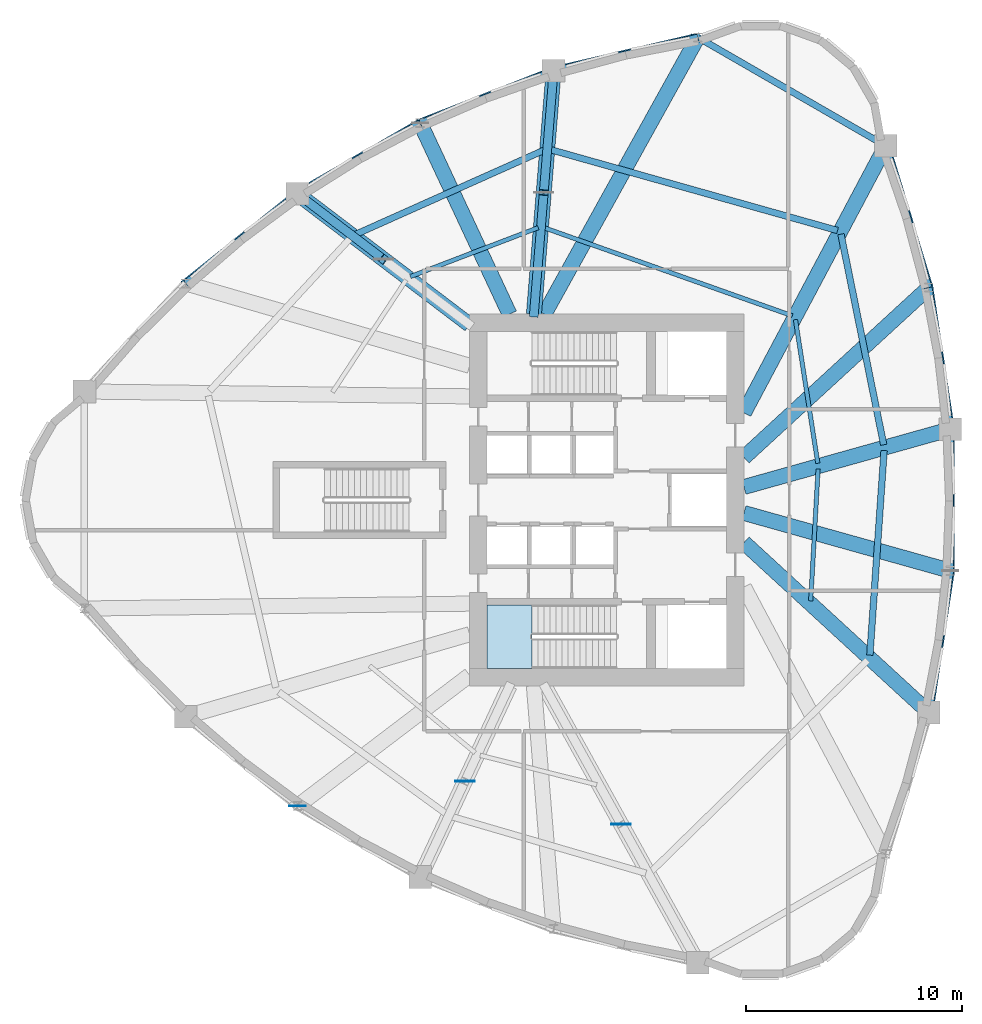
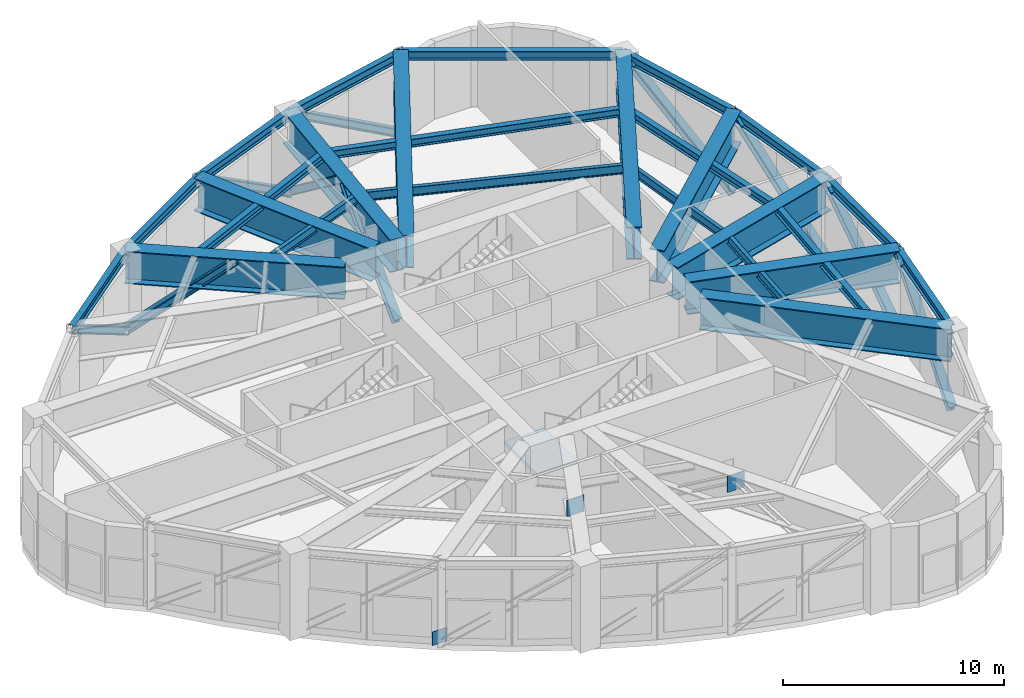
# One storey, part 2 of 9: 26 beams, 11 members, 3 plates, 1 slab, 1 element without a shape of its own.
"""IFC4 building model written with IfcOpenShell, lengths in metres."""

from ifc_helpers import new_model, si_unit, direction, frame, origin, origin_2d, place, context, subcontext, project, spatial, polyline, rectangle, i_section, outline, extrude, source, transform, mapped, material, layer, layer_set, material_profile, profile_set, type_object, element, aggregate, save


model = new_model("IFC4")

# Units and contexts
model_context = context("Model", 3, precision=1e-05, world=origin(), true_north=direction((0.0, 1.0)))
body_context = subcontext(model_context, "Body", "Model", "MODEL_VIEW")
ifc_project = project(units=[si_unit("LENGTHUNIT", "METRE"), si_unit("AREAUNIT", "SQUARE_METRE"), si_unit("VOLUMEUNIT", "CUBIC_METRE"), si_unit("PLANEANGLEUNIT", "RADIAN"), si_unit("MASSUNIT", "GRAM", prefix="KILO")], contexts=[model_context])

# Site, building, storey
site_placement = place(None, origin())
site = spatial("IfcSite", under=ifc_project, at=site_placement, CompositionType="ELEMENT")
building_placement = place(site_placement, origin())
building = spatial("IfcBuilding", under=site, at=building_placement, Name="Qafzar Sky-Pleat Residences", CompositionType="ELEMENT")
storey_placement = place(building_placement, frame((0.0, 0.0, 65.39990234375)))
storey = spatial("IfcBuildingStorey", under=building, at=storey_placement, Name="L19", CompositionType="ELEMENT", Elevation=65.39990234375)

# Beams
ifc_material_1 = material(Name="Steel S355", Category="steel")
ifc_material_profile_1 = material_profile(ifc_material_1, i_section(OverallWidth=0.300048828125, OverallDepth=0.5, WebThickness=0.014404296875, FlangeThickness=0.028076171875, FilletRadius=0.027099609375, at=origin_2d()), Name="HEB 500")
ifc_profile_set_1 = profile_set([ifc_material_profile_1], Name="Steel S355")
beam_type_1 = type_object("IfcBeamType", Name="BM-SPAN-HEB500", PredefinedType="SPANDREL", material=ifc_profile_set_1)
shared_shape_1 = source(origin(), body_context, "Body", "SweptSolid", [
    extrude(i_section(OverallWidth=0.300048828125, OverallDepth=0.5, WebThickness=0.014404296875, FlangeThickness=0.028076171875, FilletRadius=0.027099609375, at=origin_2d()), origin(), (0.0, 0.0, 1.0), 10.0458984375),
])
beam_1_placement = place(storey_placement, frame((43.262451171875, 42.389404296875, 4.498046875), z_axis=(-0.866013584312, 0.500020471368, 0.0), x_axis=(-0.500020471368, -0.866013584312, 0.0)))
element("IfcBeam", 1, at=beam_1_placement, inside=storey, type_object=beam_type_1, Name="L19 Perimeter Spandrel Beam 13", PredefinedType="SPANDREL", context=body_context, shape_type="MappedRepresentation", body=[
    mapped(shared_shape_1, transform((0.0, 0.0, 0.0), x_axis=(1.0, 0.0, 0.0), y_axis=(0.0, 1.0, 0.0), z_axis=(0.0, 0.0, 1.0), scale=1.0)),
])
shared_shape_2 = source(origin(), body_context, "Body", "SweptSolid", [
    extrude(i_section(OverallWidth=0.300048828125, OverallDepth=0.5, WebThickness=0.014404296875, FlangeThickness=0.028076171875, FilletRadius=0.027099609375, at=origin_2d()), origin(), (0.0, 0.0, 1.0), 6.85205078125),
])
for number, where, z_axis, x_axis, name in (
    (2, (45.255615234375, 35.833740234375, 4.498046875), (-0.290889380192, 0.95675669242, 0.0), (-0.95675669242, -0.290889380192, 0.0), "L19 Perimeter Spandrel Beam 12"),
    (3, (34.5625, 47.41259765625, 4.498046875), (-0.974011500326, -0.226498559007, 0.0), (0.226498559007, -0.974011500326, 0.0), "L19 Perimeter Spandrel Beam 14"),
):
    element("IfcBeam", number, at=place(storey_placement, frame(where, z_axis=z_axis, x_axis=x_axis)), inside=storey, type_object=beam_type_1, Name=name, PredefinedType="SPANDREL", context=body_context, shape_type="MappedRepresentation", body=[
        mapped(shared_shape_2, transform((0.0, 0.0, 0.0), x_axis=(1.0, 0.0, 0.0), y_axis=(0.0, 1.0, 0.0), z_axis=(0.0, 0.0, 1.0), scale=1.0)),
    ])
shared_shape_3 = source(origin(), body_context, "Body", "SweptSolid", [
    extrude(i_section(OverallWidth=0.300048828125, OverallDepth=0.5, WebThickness=0.014404296875, FlangeThickness=0.028076171875, FilletRadius=0.027099609375, at=origin_2d()), origin(), (0.0, 0.0, 1.0), 6.63134765625),
])
beam_2_placement = place(storey_placement, frame((16.035400390625, 40.167724609375, 4.498046875), z_axis=(-0.781066323429, -0.624448075027, 0.0), x_axis=(0.624448075027, -0.781066323429, 0.0)))
element("IfcBeam", 4, at=beam_2_placement, inside=storey, type_object=beam_type_1, Name="L19 Perimeter Spandrel Beam 17", PredefinedType="SPANDREL", context=body_context, shape_type="MappedRepresentation", body=[
    mapped(shared_shape_3, transform((0.0, 0.0, 0.0), x_axis=(1.0, 0.0, 0.0), y_axis=(0.0, 1.0, 0.0), z_axis=(0.0, 0.0, 1.0), scale=1.0)),
])
shared_shape_4 = source(origin(), body_context, "Body", "SweptSolid", [
    extrude(i_section(OverallWidth=0.300048828125, OverallDepth=0.5, WebThickness=0.014404296875, FlangeThickness=0.028076171875, FilletRadius=0.027099609375, at=origin_2d()), origin(), (0.0, 0.0, 1.0), 6.5556640625),
])
for number, where, z_axis, x_axis, name in (
    (5, (46.251953125, 22.72216796875, 4.498046875), (0.0, 1.0, 0.0), (-1.0, 0.0, 0.0), "L19 Perimeter Spandrel Beam 10"),
    (6, (21.712890625, 43.445556640625, 4.498046875), (-0.866029927155, -0.499992165211, 0.0), (0.499992165211, -0.866029927155, 0.0), "L19 Perimeter Spandrel Beam 16"),
):
    element("IfcBeam", number, at=place(storey_placement, frame(where, z_axis=z_axis, x_axis=x_axis)), inside=storey, type_object=beam_type_1, Name=name, PredefinedType="SPANDREL", context=body_context, shape_type="MappedRepresentation", body=[
        mapped(shared_shape_4, transform((0.0, 0.0, 0.0), x_axis=(1.0, 0.0, 0.0), y_axis=(0.0, 1.0, 0.0), z_axis=(0.0, 0.0, 1.0), scale=1.0)),
    ])
shared_shape_5 = source(origin(), body_context, "Body", "SweptSolid", [
    extrude(i_section(OverallWidth=0.300048828125, OverallDepth=0.5, WebThickness=0.014404296875, FlangeThickness=0.028076171875, FilletRadius=0.027099609375, at=origin_2d()), origin(), (0.0, 0.0, 1.0), 6.630859375),
])
beam_3_placement = place(storey_placement, frame((27.888427734375, 45.860595703125, 4.498046875), z_axis=(-0.931318267356, -0.364206376782, 0.0), x_axis=(0.364206376782, -0.931318267356, 0.0)))
element("IfcBeam", 7, at=beam_3_placement, inside=storey, type_object=beam_type_1, Name="L19 Perimeter Spandrel Beam 15", PredefinedType="SPANDREL", context=body_context, shape_type="MappedRepresentation", body=[
    mapped(shared_shape_5, transform((0.0, 0.0, 0.0), x_axis=(1.0, 0.0, 0.0), y_axis=(0.0, 1.0, 0.0), z_axis=(0.0, 0.0, 1.0), scale=1.0)),
])
shared_shape_6 = source(origin(), body_context, "Body", "SweptSolid", [
    extrude(i_section(OverallWidth=0.300048828125, OverallDepth=0.5, WebThickness=0.014404296875, FlangeThickness=0.028076171875, FilletRadius=0.027099609375, at=origin_2d()), origin(), (0.0, 0.0, 1.0), 6.631103515625),
])
for number, where, z_axis, x_axis, name in (
    (8, (45.255615234375, 16.166259765625, 4.498046875), (0.150250341483, 0.988647983301, 0.0), (-0.988647983301, 0.150250341483, 0.0), "L19 Perimeter Spandrel Beam 9"),
    (9, (46.251953125, 29.27783203125, 4.498046875), (-0.150250341483, 0.988647983301, 0.0), (-0.988647983301, -0.150250341483, 0.0), "L19 Perimeter Spandrel Beam 11"),
):
    element("IfcBeam", number, at=place(storey_placement, frame(where, z_axis=z_axis, x_axis=x_axis)), inside=storey, type_object=beam_type_1, Name=name, PredefinedType="SPANDREL", context=body_context, shape_type="MappedRepresentation", body=[
        mapped(shared_shape_6, transform((0.0, 0.0, 0.0), x_axis=(1.0, 0.0, 0.0), y_axis=(0.0, 1.0, 0.0), z_axis=(0.0, 0.0, 1.0), scale=1.0)),
    ])
ifc_material_2 = material(Name="Steel S460", Category="steel")
ifc_material_profile_2 = material_profile(ifc_material_2, i_section(OverallWidth=0.699951171875, OverallDepth=1.800048828125, WebThickness=0.035888671875, FlangeThickness=0.054931640625, at=origin_2d()), Name="PG 1800x700x55")
ifc_profile_set_2 = profile_set([ifc_material_profile_2], Name="Steel S460")
beam_type_2 = type_object("IfcBeamType", Name="BM-XFER-PG1800", PredefinedType="BEAM", material=ifc_profile_set_2)
shared_shape_7 = source(origin(), body_context, "Body", "SweptSolid", [
    extrude(i_section(OverallWidth=0.699951171875, OverallDepth=1.800048828125, WebThickness=0.035888671875, FlangeThickness=0.054931640625, at=origin_2d()), origin(), (0.0, 0.0, 1.0), 10.00537109375),
])
beam_4_placement = place(storey_placement, frame((16.035400390625, 40.167724609375, 3.84814453125), z_axis=(0.796026757261, -0.605261432543, 0.0), x_axis=(0.605261432543, 0.796026757261, 0.0)))
element("IfcBeam", 10, at=beam_4_placement, inside=storey, type_object=beam_type_2, Name="L20 Setback Transfer Girder 17", PredefinedType="BEAM", context=body_context, shape_type="MappedRepresentation", body=[
    mapped(shared_shape_7, transform((0.0, 0.0, 0.0), x_axis=(1.0, 0.0, 0.0), y_axis=(0.0, 1.0, 0.0), z_axis=(0.0, 0.0, 1.0), scale=1.0)),
])
shared_shape_8 = source(origin(), body_context, "Body", "SweptSolid", [
    extrude(i_section(OverallWidth=0.699951171875, OverallDepth=1.800048828125, WebThickness=0.035888671875, FlangeThickness=0.054931640625, at=origin_2d()), origin(), (0.0, 0.0, 1.0), 9.764892578125),
])
beam_5_placement = place(storey_placement, frame((21.712890625, 43.445556640625, 3.84814453125), z_axis=(0.423628530092, -0.905836005297, 0.0), x_axis=(0.905836005297, 0.423628530092, 0.0)))
element("IfcBeam", 11, at=beam_5_placement, inside=storey, type_object=beam_type_2, Name="L20 Setback Transfer Girder 16", PredefinedType="BEAM", context=body_context, shape_type="MappedRepresentation", body=[
    mapped(shared_shape_8, transform((0.0, 0.0, 0.0), x_axis=(1.0, 0.0, 0.0), y_axis=(0.0, 1.0, 0.0), z_axis=(0.0, 0.0, 1.0), scale=1.0)),
])
shared_shape_9 = source(origin(), body_context, "Body", "SweptSolid", [
    extrude(i_section(OverallWidth=0.699951171875, OverallDepth=1.800048828125, WebThickness=0.035888671875, FlangeThickness=0.054931640625, at=origin_2d()), origin(), (0.0, 0.0, 1.0), 11.29736328125),
])
beam_6_placement = place(storey_placement, frame((27.888427734375, 45.860595703125, 3.84814453125), z_axis=(-0.080650495352, -0.996742442961, 0.0), x_axis=(0.996742442961, -0.080650495352, 0.0)))
element("IfcBeam", 12, at=beam_6_placement, inside=storey, type_object=beam_type_2, Name="L20 Setback Transfer Girder 15", PredefinedType="BEAM", context=body_context, shape_type="MappedRepresentation", body=[
    mapped(shared_shape_9, transform((0.0, 0.0, 0.0), x_axis=(1.0, 0.0, 0.0), y_axis=(0.0, 1.0, 0.0), z_axis=(0.0, 0.0, 1.0), scale=1.0)),
])
shared_shape_10 = source(origin(), body_context, "Body", "SweptSolid", [
    extrude(i_section(OverallWidth=0.699951171875, OverallDepth=1.800048828125, WebThickness=0.035888671875, FlangeThickness=0.054931640625, at=origin_2d()), origin(), (0.0, 0.0, 1.0), 14.6494140625),
])
beam_7_placement = place(storey_placement, frame((34.5625, 47.41259765625, 3.84814453125), z_axis=(-0.484820596455, -0.874613622837, 0.0), x_axis=(0.874613622837, -0.484820596455, 0.0)))
element("IfcBeam", 13, at=beam_7_placement, inside=storey, type_object=beam_type_2, Name="L20 Setback Transfer Girder 14", PredefinedType="BEAM", context=body_context, shape_type="MappedRepresentation", body=[
    mapped(shared_shape_10, transform((0.0, 0.0, 0.0), x_axis=(1.0, 0.0, 0.0), y_axis=(0.0, 1.0, 0.0), z_axis=(0.0, 0.0, 1.0), scale=1.0)),
])
shared_shape_11 = source(origin(), body_context, "Body", "SweptSolid", [
    extrude(i_section(OverallWidth=0.699951171875, OverallDepth=1.800048828125, WebThickness=0.035888671875, FlangeThickness=0.054931640625, at=origin_2d()), origin(), (0.0, 0.0, 1.0), 13.99072265625),
])
beam_8_placement = place(storey_placement, frame((43.262451171875, 42.389404296875, 3.84814453125), z_axis=(-0.469058682774, -0.88316700126, 0.0), x_axis=(0.88316700126, -0.469058682774, 0.0)))
element("IfcBeam", 14, at=beam_8_placement, inside=storey, type_object=beam_type_2, Name="L20 Setback Transfer Girder 13", PredefinedType="BEAM", context=body_context, shape_type="MappedRepresentation", body=[
    mapped(shared_shape_11, transform((0.0, 0.0, 0.0), x_axis=(1.0, 0.0, 0.0), y_axis=(0.0, 1.0, 0.0), z_axis=(0.0, 0.0, 1.0), scale=1.0)),
])
shared_shape_12 = source(origin(), body_context, "Body", "SweptSolid", [
    extrude(i_section(OverallWidth=0.699951171875, OverallDepth=1.800048828125, WebThickness=0.035888671875, FlangeThickness=0.054931640625, at=origin_2d()), origin(), (0.0, 0.0, 1.0), 11.62060546875),
])
for number, where, z_axis, x_axis, name in (
    (15, (45.255615234375, 16.166259765625, 3.84814453125), (-0.736250001998, 0.676709638293, 0.0), (-0.676709638293, -0.736250001998, 0.0), "L20 Setback Transfer Girder 9"),
    (16, (45.255615234375, 35.833740234375, 3.84814453125), (-0.736250001998, -0.676709638293, 0.0), (0.676709638293, -0.736250001998, 0.0), "L20 Setback Transfer Girder 12"),
):
    element("IfcBeam", number, at=place(storey_placement, frame(where, z_axis=z_axis, x_axis=x_axis)), inside=storey, type_object=beam_type_2, Name=name, PredefinedType="BEAM", context=body_context, shape_type="MappedRepresentation", body=[
        mapped(shared_shape_12, transform((0.0, 0.0, 0.0), x_axis=(1.0, 0.0, 0.0), y_axis=(0.0, 1.0, 0.0), z_axis=(0.0, 0.0, 1.0), scale=1.0)),
    ])
shared_shape_13 = source(origin(), body_context, "Body", "SweptSolid", [
    extrude(i_section(OverallWidth=0.699951171875, OverallDepth=1.800048828125, WebThickness=0.035888671875, FlangeThickness=0.054931640625, at=origin_2d()), origin(), (0.0, 0.0, 1.0), 9.919921875),
])
for number, where, z_axis, x_axis, name in (
    (17, (46.251953125, 22.72216796875, 3.84814453125), (-0.962906486875, 0.269835315581, 0.0), (-0.269835315581, -0.962906486875, 0.0), "L20 Setback Transfer Girder 10"),
    (18, (46.251953125, 29.27783203125, 3.84814453125), (-0.962906486875, -0.269835315581, 0.0), (0.269835315581, -0.962906486875, 0.0), "L20 Setback Transfer Girder 11"),
):
    element("IfcBeam", number, at=place(storey_placement, frame(where, z_axis=z_axis, x_axis=x_axis)), inside=storey, type_object=beam_type_2, Name=name, PredefinedType="BEAM", context=body_context, shape_type="MappedRepresentation", body=[
        mapped(shared_shape_13, transform((0.0, 0.0, 0.0), x_axis=(1.0, 0.0, 0.0), y_axis=(0.0, 1.0, 0.0), z_axis=(0.0, 0.0, 1.0), scale=1.0)),
    ])
ifc_material_profile_3 = material_profile(ifc_material_1, i_section(OverallWidth=0.300048828125, OverallDepth=0.43994140625, WebThickness=0.011474609375, FlangeThickness=0.02099609375, FilletRadius=0.027099609375, at=origin_2d()), Name="HEA 450")
ifc_profile_set_3 = profile_set([ifc_material_profile_3], Name="Steel S355")
beam_type_3 = type_object("IfcBeamType", Name="BM-PLT-HEA450", PredefinedType="BEAM", material=ifc_profile_set_3)
shared_shape_14 = source(origin(), body_context, "Body", "SweptSolid", [
    extrude(i_section(OverallWidth=0.300048828125, OverallDepth=0.43994140625, WebThickness=0.011474609375, FlangeThickness=0.02099609375, FilletRadius=0.027099609375, at=origin_2d()), origin(), (0.0, 0.0, 1.0), 9.4921875),
])
beam_9_placement = place(storey_placement, frame((42.527099609375, 18.8173828125, 4.528076171875), z_axis=(0.06941909173, 0.997587584979, 0.0), x_axis=(-0.997587584979, 0.06941909173, 0.0)))
element("IfcBeam", 19, at=beam_9_placement, inside=storey, type_object=beam_type_3, Name="L19 Outer Secondary Floor Joist 5", PredefinedType="BEAM", context=body_context, shape_type="MappedRepresentation", body=[
    mapped(shared_shape_14, transform((0.0, 0.0, 0.0), x_axis=(1.0, 0.0, 0.0), y_axis=(0.0, 1.0, 0.0), z_axis=(0.0, 0.0, 1.0), scale=1.0)),
])
shared_shape_15 = source(origin(), body_context, "Body", "SweptSolid", [
    extrude(i_section(OverallWidth=0.300048828125, OverallDepth=0.43994140625, WebThickness=0.011474609375, FlangeThickness=0.02099609375, FilletRadius=0.027099609375, at=origin_2d()), origin(), (0.0, 0.0, 1.0), 9.9482421875),
])
beam_10_placement = place(storey_placement, frame((43.16845703125, 28.5537109375, 4.528076171875), z_axis=(-0.198928086655, 0.980014089868, 0.0), x_axis=(-0.980014089868, -0.198928086655, 0.0)))
element("IfcBeam", 20, at=beam_10_placement, inside=storey, type_object=beam_type_3, Name="L19 Outer Secondary Floor Joist 6", PredefinedType="BEAM", context=body_context, shape_type="MappedRepresentation", body=[
    mapped(shared_shape_15, transform((0.0, 0.0, 0.0), x_axis=(1.0, 0.0, 0.0), y_axis=(0.0, 1.0, 0.0), z_axis=(0.0, 0.0, 1.0), scale=1.0)),
])
shared_shape_16 = source(origin(), body_context, "Body", "SweptSolid", [
    extrude(i_section(OverallWidth=0.300048828125, OverallDepth=0.43994140625, WebThickness=0.011474609375, FlangeThickness=0.02099609375, FilletRadius=0.027099609375, at=origin_2d()), origin(), (0.0, 0.0, 1.0), 13.82373046875),
])
beam_11_placement = place(storey_placement, frame((41.03271484375, 38.47216796875, 4.528076171875), z_axis=(-0.962537650324, 0.271148062337, 0.0), x_axis=(-0.271148062337, -0.962537650324, 0.0)))
element("IfcBeam", 21, at=beam_11_placement, inside=storey, type_object=beam_type_3, Name="L19 Outer Secondary Floor Joist 7", PredefinedType="BEAM", context=body_context, shape_type="MappedRepresentation", body=[
    mapped(shared_shape_16, transform((0.0, 0.0, 0.0), x_axis=(1.0, 0.0, 0.0), y_axis=(0.0, 1.0, 0.0), z_axis=(0.0, 0.0, 1.0), scale=1.0)),
])
shared_shape_17 = source(origin(), body_context, "Body", "SweptSolid", [
    extrude(i_section(OverallWidth=0.300048828125, OverallDepth=0.43994140625, WebThickness=0.011474609375, FlangeThickness=0.02099609375, FilletRadius=0.027099609375, at=origin_2d()), origin(), (0.0, 0.0, 1.0), 9.601806640625),
])
beam_12_placement = place(storey_placement, frame((27.4736328125, 42.2021484375, 4.528076171875), z_axis=(-0.91299500849, -0.407970727469, 0.0), x_axis=(0.407970727469, -0.91299500849, 0.0)))
element("IfcBeam", 22, at=beam_12_placement, inside=storey, type_object=beam_type_3, Name="L19 Outer Secondary Floor Joist 8", PredefinedType="BEAM", context=body_context, shape_type="MappedRepresentation", body=[
    mapped(shared_shape_17, transform((0.0, 0.0, 0.0), x_axis=(1.0, 0.0, 0.0), y_axis=(0.0, 1.0, 0.0), z_axis=(0.0, 0.0, 1.0), scale=1.0)),
])
ifc_material_profile_4 = material_profile(ifc_material_1, i_section(OverallWidth=0.199951171875, OverallDepth=0.5, WebThickness=0.01025390625, FlangeThickness=0.01611328125, FilletRadius=0.02099609375, at=origin_2d()), Name="IPE 500")
ifc_profile_set_4 = profile_set([ifc_material_profile_4], Name="Steel S355")
beam_type_4 = type_object("IfcBeamType", Name="BM-SEC-IPE500", PredefinedType="BEAM", material=ifc_profile_set_4)
shared_shape_18 = source(origin(), body_context, "Body", "SweptSolid", [
    extrude(i_section(OverallWidth=0.199951171875, OverallDepth=0.5, WebThickness=0.01025390625, FlangeThickness=0.01611328125, FilletRadius=0.02099609375, at=origin_2d()), origin(), (0.0, 0.0, 1.0), 6.105712890625),
])
beam_13_placement = place(storey_placement, frame((39.78759765625, 21.333984375, 4.498046875), z_axis=(0.056260622228, 0.99841611685, 0.0), x_axis=(-0.99841611685, 0.056260622228, 0.0)))
element("IfcBeam", 23, at=beam_13_placement, inside=storey, type_object=beam_type_4, Name="L19 Inner Secondary Floor Joist 5", PredefinedType="BEAM", context=body_context, shape_type="MappedRepresentation", body=[
    mapped(shared_shape_18, transform((0.0, 0.0, 0.0), x_axis=(1.0, 0.0, 0.0), y_axis=(0.0, 1.0, 0.0), z_axis=(0.0, 0.0, 1.0), scale=1.0)),
])
shared_shape_19 = source(origin(), body_context, "Body", "SweptSolid", [
    extrude(i_section(OverallWidth=0.199951171875, OverallDepth=0.5, WebThickness=0.01025390625, FlangeThickness=0.01611328125, FilletRadius=0.02099609375, at=origin_2d()), origin(), (0.0, 0.0, 1.0), 6.730224609375),
])
beam_14_placement = place(storey_placement, frame((40.117919921875, 27.697998046875, 4.498046875), z_axis=(-0.153736128167, 0.988111938444, 0.0), x_axis=(-0.988111938444, -0.153736128167, 0.0)))
element("IfcBeam", 24, at=beam_14_placement, inside=storey, type_object=beam_type_4, Name="L19 Inner Secondary Floor Joist 6", PredefinedType="BEAM", context=body_context, shape_type="MappedRepresentation", body=[
    mapped(shared_shape_19, transform((0.0, 0.0, 0.0), x_axis=(1.0, 0.0, 0.0), y_axis=(0.0, 1.0, 0.0), z_axis=(0.0, 0.0, 1.0), scale=1.0)),
])
shared_shape_20 = source(origin(), body_context, "Body", "SweptSolid", [
    extrude(i_section(OverallWidth=0.199951171875, OverallDepth=0.5, WebThickness=0.01025390625, FlangeThickness=0.01611328125, FilletRadius=0.02099609375, at=origin_2d()), origin(), (0.0, 0.0, 1.0), 12.20556640625),
])
beam_15_placement = place(storey_placement, frame((38.935302734375, 34.526611328125, 4.498046875), z_axis=(-0.942416560576, 0.334441364594, 0.0), x_axis=(-0.334441364594, -0.942416560576, 0.0)))
element("IfcBeam", 25, at=beam_15_placement, inside=storey, type_object=beam_type_4, Name="L19 Inner Secondary Floor Joist 7", PredefinedType="BEAM", context=body_context, shape_type="MappedRepresentation", body=[
    mapped(shared_shape_20, transform((0.0, 0.0, 0.0), x_axis=(1.0, 0.0, 0.0), y_axis=(0.0, 1.0, 0.0), z_axis=(0.0, 0.0, 1.0), scale=1.0)),
])
shared_shape_21 = source(origin(), body_context, "Body", "SweptSolid", [
    extrude(i_section(OverallWidth=0.199951171875, OverallDepth=0.5, WebThickness=0.01025390625, FlangeThickness=0.01611328125, FilletRadius=0.02099609375, at=origin_2d()), origin(), (0.0, 0.0, 1.0), 6.339111328125),
])
beam_16_placement = place(storey_placement, frame((27.17919921875, 38.60546875, 4.498046875), z_axis=(-0.933962627833, -0.357370689636, 0.0), x_axis=(0.357370689636, -0.933962627833, 0.0)))
element("IfcBeam", 26, at=beam_16_placement, inside=storey, type_object=beam_type_4, Name="L19 Inner Secondary Floor Joist 8", PredefinedType="BEAM", context=body_context, shape_type="MappedRepresentation", body=[
    mapped(shared_shape_21, transform((0.0, 0.0, 0.0), x_axis=(1.0, 0.0, 0.0), y_axis=(0.0, 1.0, 0.0), z_axis=(0.0, 0.0, 1.0), scale=1.0)),
])

# Members
ifc_material_profile_5 = material_profile(ifc_material_2, i_section(OverallWidth=0.406005859375, OverallDepth=0.416015625, WebThickness=0.027099609375, FlangeThickness=0.0439453125, FilletRadius=0.014892578125, at=origin_2d()), Name="HD 400x382")
ifc_profile_set_5 = profile_set([ifc_material_profile_5], Name="Steel S460")
member_type_1 = type_object("IfcMemberType", Name="MEM-BELT-HD382", PredefinedType="BRACE", material=ifc_profile_set_5)
shared_shape_22 = source(origin(), body_context, "Body", "SweptSolid", [
    extrude(i_section(OverallWidth=0.406005859375, OverallDepth=0.416015625, WebThickness=0.027099609375, FlangeThickness=0.0439453125, FilletRadius=0.014892578125, at=origin_2d()), origin(), (0.0, 0.0, 1.0), 8.14306640625),
])
for number, where, z_axis, x_axis, name in (
    (27, (45.255615234375, 35.833740234375, 0.150146484375), (-0.244770007376, 0.805066663164, 0.540328891835), (-0.95675669242, -0.290889380192, 0.0), "L19 Belt Truss Diagonal 12"),
    (28, (34.5625, 47.41259765625, 0.150146484375), (-0.819592201048, -0.190589590008, 0.540318639473), (0.226498559007, -0.974011500326, 0.0), "L19 Belt Truss Diagonal 14"),
):
    element("IfcMember", number, at=place(storey_placement, frame(where, z_axis=z_axis, x_axis=x_axis)), inside=storey, type_object=member_type_1, Name=name, PredefinedType="BRACE", context=body_context, shape_type="MappedRepresentation", body=[
        mapped(shared_shape_22, transform((0.0, 0.0, 0.0), x_axis=(1.0, 0.0, 0.0), y_axis=(0.0, 1.0, 0.0), z_axis=(0.0, 0.0, 1.0), scale=1.0)),
    ])
shared_shape_23 = source(origin(), body_context, "Body", "SweptSolid", [
    extrude(i_section(OverallWidth=0.406005859375, OverallDepth=0.416015625, WebThickness=0.027099609375, FlangeThickness=0.0439453125, FilletRadius=0.014892578125, at=origin_2d()), origin(), (0.0, 0.0, 1.0), 7.958251953125),
])
member_1_placement = place(storey_placement, frame((16.035400390625, 40.167724609375, 0.150146484375), z_axis=(-0.650832943163, -0.520328896959, 0.552878213608), x_axis=(0.624448075027, -0.781066323429, 0.0)))
element("IfcMember", 29, at=member_1_placement, inside=storey, type_object=member_type_1, Name="L19 Belt Truss Diagonal 17", PredefinedType="BRACE", context=body_context, shape_type="MappedRepresentation", body=[
    mapped(shared_shape_23, transform((0.0, 0.0, 0.0), x_axis=(1.0, 0.0, 0.0), y_axis=(0.0, 1.0, 0.0), z_axis=(0.0, 0.0, 1.0), scale=1.0)),
])
shared_shape_24 = source(origin(), body_context, "Body", "SweptSolid", [
    extrude(i_section(OverallWidth=0.406005859375, OverallDepth=0.416015625, WebThickness=0.027099609375, FlangeThickness=0.0439453125, FilletRadius=0.014892578125, at=origin_2d()), origin(), (0.0, 0.0, 1.0), 7.8955078125),
])
member_2_placement = place(storey_placement, frame((21.712890625, 43.445556640625, 0.150146484375), z_axis=(-0.719089065216, -0.415157591468, 0.557274699348), x_axis=(0.499992165211, -0.866029927155, 0.0)))
element("IfcMember", 30, at=member_2_placement, inside=storey, type_object=member_type_1, Name="L19 Belt Truss Diagonal 16", PredefinedType="BRACE", context=body_context, shape_type="MappedRepresentation", body=[
    mapped(shared_shape_24, transform((0.0, 0.0, 0.0), x_axis=(1.0, 0.0, 0.0), y_axis=(0.0, 1.0, 0.0), z_axis=(0.0, 0.0, 1.0), scale=1.0)),
])
shared_shape_25 = source(origin(), body_context, "Body", "SweptSolid", [
    extrude(i_section(OverallWidth=0.406005859375, OverallDepth=0.416015625, WebThickness=0.027099609375, FlangeThickness=0.0439453125, FilletRadius=0.014892578125, at=origin_2d()), origin(), (0.0, 0.0, 1.0), 7.9580078125),
])
for number, where, z_axis, x_axis, name in (
    (31, (45.255615234375, 16.166259765625, 0.150146484375), (0.125197558766, 0.823800550244, 0.552881745671), (-0.988647983301, 0.150250341483, 0.0), "L19 Belt Truss Diagonal 9"),
    (32, (46.251953125, 29.27783203125, 0.150146484375), (-0.125197558766, 0.823800550244, 0.552881745671), (-0.988647983301, -0.150250341483, 0.0), "L19 Belt Truss Diagonal 11"),
    (33, (27.888427734375, 45.860595703125, 0.150146484375), (-0.776022051119, -0.30347539552, 0.552894619698), (0.364206376782, -0.931318267356, 0.0), "L19 Belt Truss Diagonal 15"),
):
    element("IfcMember", number, at=place(storey_placement, frame(where, z_axis=z_axis, x_axis=x_axis)), inside=storey, type_object=member_type_1, Name=name, PredefinedType="BRACE", context=body_context, shape_type="MappedRepresentation", body=[
        mapped(shared_shape_25, transform((0.0, 0.0, 0.0), x_axis=(1.0, 0.0, 0.0), y_axis=(0.0, 1.0, 0.0), z_axis=(0.0, 0.0, 1.0), scale=1.0)),
    ])
shared_shape_26 = source(origin(), body_context, "Body", "SweptSolid", [
    extrude(i_section(OverallWidth=0.406005859375, OverallDepth=0.416015625, WebThickness=0.027099609375, FlangeThickness=0.0439453125, FilletRadius=0.014892578125, at=origin_2d()), origin(), (0.0, 0.0, 1.0), 7.895263671875),
])
member_3_placement = place(storey_placement, frame((46.251953125, 22.72216796875, 0.150146484375), z_axis=(0.0, 0.830324153165, 0.55728071981), x_axis=(-1.0, 0.0, 0.0)))
element("IfcMember", 34, at=member_3_placement, inside=storey, type_object=member_type_1, Name="L19 Belt Truss Diagonal 10", PredefinedType="BRACE", context=body_context, shape_type="MappedRepresentation", body=[
    mapped(shared_shape_26, transform((0.0, 0.0, 0.0), x_axis=(1.0, 0.0, 0.0), y_axis=(0.0, 1.0, 0.0), z_axis=(0.0, 0.0, 1.0), scale=1.0)),
])
ifc_material_profile_6 = material_profile(ifc_material_2, i_section(OverallWidth=0.408935546875, OverallDepth=0.425048828125, WebThickness=0.030029296875, FlangeThickness=0.048095703125, FilletRadius=0.014892578125, at=origin_2d()), Name="HD 400x421")
ifc_profile_set_6 = profile_set([ifc_material_profile_6], Name="Steel S460")
member_type_2 = type_object("IfcMemberType", Name="MEM-OUT-HD421", PredefinedType="BRACE", material=ifc_profile_set_6)
shared_shape_27 = source(origin(), body_context, "Body", "SweptSolid", [
    extrude(i_section(OverallWidth=0.408935546875, OverallDepth=0.425048828125, WebThickness=0.030029296875, FlangeThickness=0.048095703125, FilletRadius=0.014892578125, at=origin_2d()), origin(), (0.0, 0.0, 1.0), 7.098876953125),
])
member_4_placement = place(storey_placement, frame((26.977294921875, 34.60009765625, 0.2001953125), z_axis=(0.064174346416, 0.793100001441, 0.605701280316), x_axis=(-0.996742302391, 0.080652232612, 0.0)))
element("IfcMember", 35, at=member_4_placement, inside=storey, type_object=member_type_2, Name="L19 Outrigger Truss Diagonal 8A", PredefinedType="BRACE", context=body_context, shape_type="MappedRepresentation", body=[
    mapped(shared_shape_27, transform((0.0, 0.0, 0.0), x_axis=(1.0, 0.0, 0.0), y_axis=(0.0, 1.0, 0.0), z_axis=(0.0, 0.0, 1.0), scale=1.0)),
])
shared_shape_28 = source(origin(), body_context, "Body", "SweptSolid", [
    extrude(i_section(OverallWidth=0.408935546875, OverallDepth=0.425048828125, WebThickness=0.030029296875, FlangeThickness=0.048095703125, FilletRadius=0.014892578125, at=origin_2d()), origin(), (0.0, 0.0, 1.0), 7.09912109375),
])
member_5_placement = place(storey_placement, frame((27.432861328125, 40.230224609375, 4.5), z_axis=(0.064172596041, 0.793112759865, -0.605684759637), x_axis=(-0.996742583522, 0.080648758167, 0.0)))
element("IfcMember", 36, at=member_5_placement, inside=storey, type_object=member_type_2, Name="L19 Outrigger Truss Diagonal 8B", PredefinedType="BRACE", context=body_context, shape_type="MappedRepresentation", body=[
    mapped(shared_shape_28, transform((0.0, 0.0, 0.0), x_axis=(1.0, 0.0, 0.0), y_axis=(0.0, 1.0, 0.0), z_axis=(0.0, 0.0, 1.0), scale=1.0)),
])
shared_shape_29 = source(origin(), body_context, "Body", "SweptSolid", [
    extrude(i_section(OverallWidth=0.408935546875, OverallDepth=0.425048828125, WebThickness=0.030029296875, FlangeThickness=0.048095703125, FilletRadius=0.014892578125, at=origin_2d()), origin(), (0.0, 0.0, 1.0), 6.5966796875),
])
member_6_placement = place(storey_placement, frame((20.017578125, 37.1396484375, 4.5), z_axis=(-0.603670040786, 0.459034977369, -0.651820045265), x_axis=(-0.605288650485, -0.79600606128, 0.0)))
element("IfcMember", 37, at=member_6_placement, inside=storey, type_object=member_type_2, Name="L19 Outrigger Truss Diagonal 9B", PredefinedType="BRACE", context=body_context, shape_type="MappedRepresentation", body=[
    mapped(shared_shape_29, transform((0.0, 0.0, 0.0), x_axis=(1.0, 0.0, 0.0), y_axis=(0.0, 1.0, 0.0), z_axis=(0.0, 0.0, 1.0), scale=1.0)),
])

# Stair, slab
ifc_material_3 = material(Name="Concrete C40/50", Category="concrete")
stair_type = type_object("IfcStairType", Name="STAIR-H500", PredefinedType="HALF_TURN_STAIR", material=ifc_material_3)
stair_placement = place(storey_placement, origin())
stair = element("IfcStair", 38, at=stair_placement, inside=storey, type_object=stair_type, Name="L19 Protected Exit Stair ST1", PredefinedType="HALF_TURN_STAIR")
ifc_layer_1 = layer(ifc_material_3, 0.199951171875)
ifc_layer_set_1 = layer_set([ifc_layer_1], Name="Concrete C40/50")
slab_type = type_object("IfcSlabType", Name="SLAB-LANDING-200", PredefinedType="LANDING", material=ifc_layer_set_1)
slab_placement = place(storey_placement, frame((0.0, 0.0, 2.300048828125)))
slab = element("IfcSlab", 39, at=slab_placement, type_object=slab_type, Name="ST1 landing 1", PredefinedType="LANDING", context=body_context, shape_type="SweptSolid", body=[
    extrude(outline(polyline([(26.8798828125, 21.14990234375), (24.800048828125, 21.14990234375), (24.800048828125, 18.199951171875), (26.8798828125, 18.199951171875), (26.8798828125, 21.14990234375)])), origin(), (0.0, 0.0, 1.0), 0.199951171875),
])
aggregate(stair, [slab])

# Plates
ifc_layer_2 = layer(ifc_material_1, 0.030029296875)
ifc_layer_set_2 = layer_set([ifc_layer_2], Name="Steel S355")
plate_type_1 = type_object("IfcPlateType", Name="PLT-NODE-BN1", PredefinedType="USERDEFINED", material=ifc_layer_set_2)
shared_shape_30 = source(origin(), body_context, "Body", "SweptSolid", [
    extrude(rectangle(XDim=0.75, YDim=0.030029296875, at=origin_2d()), origin(), (0.0, 0.0, 1.0), 0.75),
])
plate_placement = place(storey_placement, frame((16.035400390625, 11.832275390625, 0.0751953125), z_axis=(0.0, 0.0, 1.0), x_axis=(1.0, 0.0, 0.0)))
element("IfcPlate", 40, at=plate_placement, inside=storey, type_object=plate_type_1, Name="L19 Belt-Truss Node Plate 4", ObjectType="GUSSET_PLATE", PredefinedType="USERDEFINED", context=body_context, shape_type="MappedRepresentation", body=[
    mapped(shared_shape_30, transform((0.0, 0.0, 0.0), x_axis=(1.0, 0.0, 0.0), y_axis=(0.0, 1.0, 0.0), z_axis=(0.0, 0.0, 1.0), scale=1.0)),
])
ifc_layer_3 = layer(ifc_material_1, 0.034912109375)
ifc_layer_set_3 = layer_set([ifc_layer_3], Name="Steel S355")
plate_type_2 = type_object("IfcPlateType", Name="PLT-NODE-ON1", PredefinedType="USERDEFINED", material=ifc_layer_set_3)
shared_shape_31 = source(origin(), body_context, "Body", "SweptSolid", [
    extrude(rectangle(XDim=0.89990234375, YDim=0.034912109375, at=origin_2d()), origin(), (0.0, 0.0, 1.0), 0.89990234375),
])
for number, where, z_axis, x_axis, name in (
    (41, (23.78125, 12.977294921875, 3.800048828125), (0.0, 0.0, 1.0), (1.0, 0.0, 0.0), "L19 Outrigger Gusset Node 3"),
    (42, (31.011474609375, 10.99365234375, 3.800048828125), (0.0, 0.0, 1.0), (1.0, 0.0, 0.0), "L19 Outrigger Gusset Node 4"),
):
    element("IfcPlate", number, at=place(storey_placement, frame(where, z_axis=z_axis, x_axis=x_axis)), inside=storey, type_object=plate_type_2, Name=name, ObjectType="GUSSET_PLATE", PredefinedType="USERDEFINED", context=body_context, shape_type="MappedRepresentation", body=[
        mapped(shared_shape_31, transform((0.0, 0.0, 0.0), x_axis=(1.0, 0.0, 0.0), y_axis=(0.0, 1.0, 0.0), z_axis=(0.0, 0.0, 1.0), scale=1.0)),
    ])

save(model, "model.ifc")
